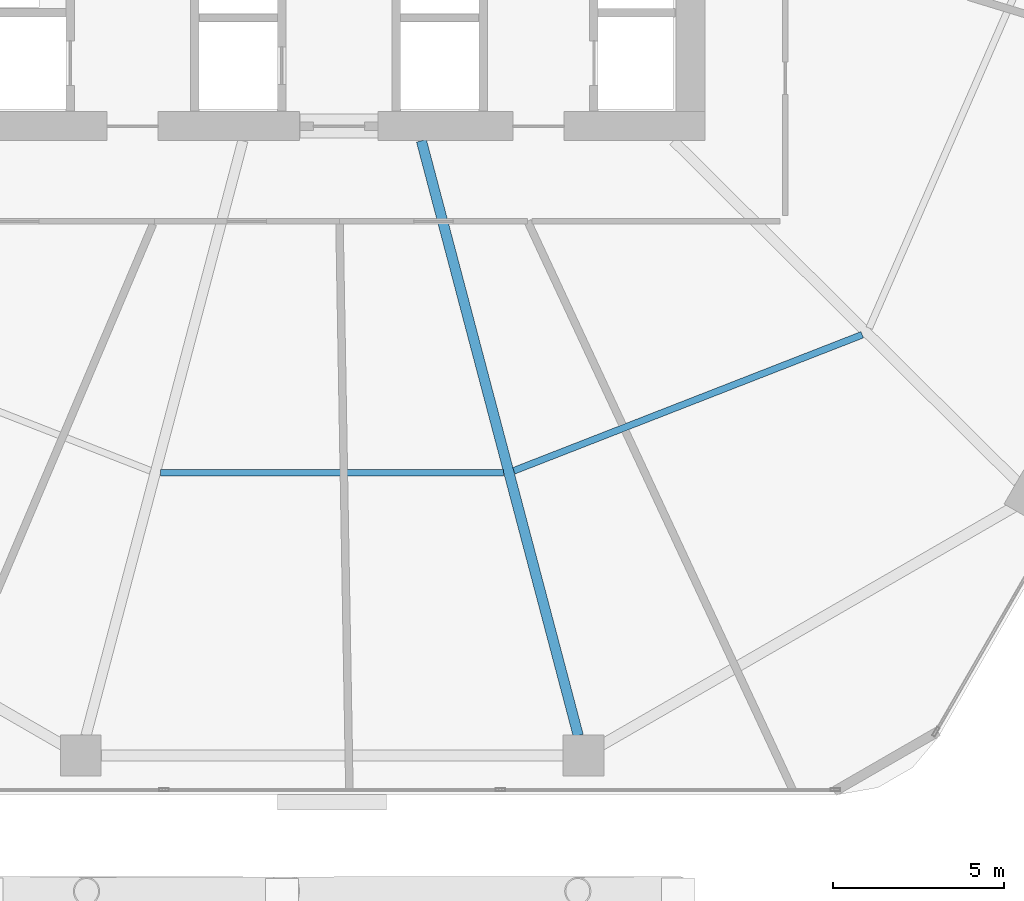
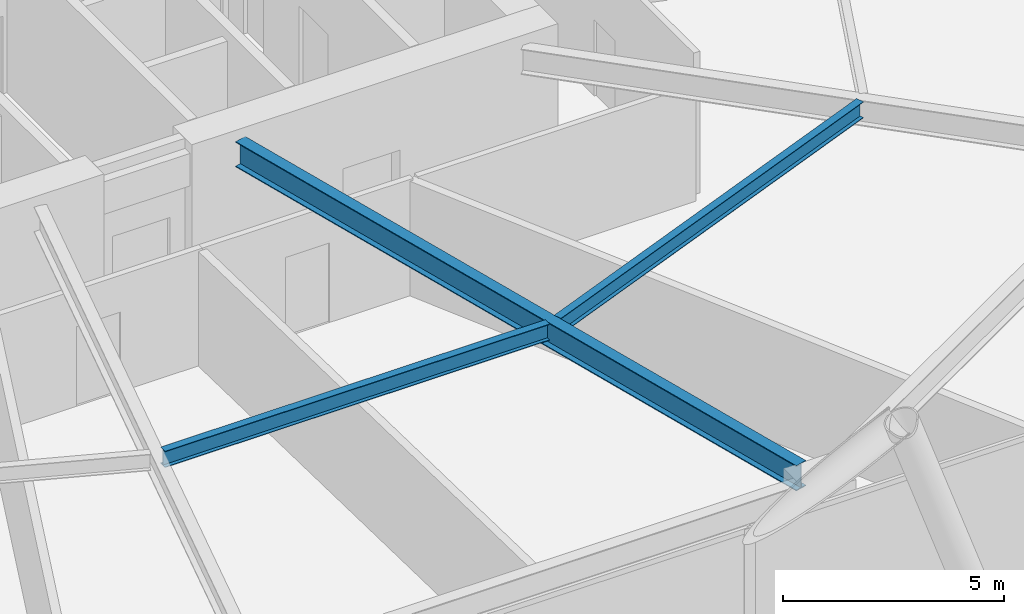
# One storey, part 8 of 30: 3 beams.
"""IFC4 building model written with IfcOpenShell, lengths in metres."""

import ifcopenshell
import ifcopenshell.guid

model = None  # the IFC model being written
_history = None  # IfcOwnerHistory: only IFC2X3 demands one
_inside = {}  # id of a spatial element -> (the spatial element, [elements in it])
_under = {}  # id of a project, library or spatial element -> (it, [spatial elements below it])
_declared = {}  # id of a project -> (the project, [libraries it declares])
_typed = {}  # id of a type object -> (the type object, [elements of that type])
_made_of = {}  # id of a material, layer set ... -> (it, [elements and type objects made of it])


def new_model(schema):
    """Start an empty IFC model of exactly this schema.

    Asked for "IFC4X3", IfcOpenShell would pick the latest addendum, in which some entities
    have other attributes; the version numbers below select the first issue.
    IFC2X3 requires an IfcOwnerHistory on every rooted entity: one is made here for all.
    """
    global model, _history
    if schema == "IFC4X3":
        model = ifcopenshell.file(schema_version=(4, 3, 0, 0))
    else:
        model = ifcopenshell.file(schema=schema)
    _inside.clear()
    _under.clear()
    _declared.clear()
    _typed.clear()
    _made_of.clear()
    _history = None
    if model.schema == "IFC2X3":
        org = make("IfcOrganization", Name="unknown")
        user = make(
            "IfcPersonAndOrganization",
            ThePerson=make("IfcPerson", FamilyName="unknown"),
            TheOrganization=org,
        )
        app = make(
            "IfcApplication",
            ApplicationDeveloper=org,
            Version="unknown",
            ApplicationFullName="unknown",
            ApplicationIdentifier="unknown",
        )
        _history = make(
            "IfcOwnerHistory",
            OwningUser=user,
            OwningApplication=app,
            ChangeAction="ADDED",
            CreationDate=0,
        )
    return model


def make(cls, **values):
    """One entity of the class cls with the attributes given. An attribute that is None is left unset."""
    return model.create_entity(
        cls, **{name: value for name, value in values.items() if value is not None}
    )


def rooted(cls, **values):
    """An entity with a GlobalId (a new one), such as an element, a storey or a relation."""
    return make(cls, GlobalId=ifcopenshell.guid.new(), OwnerHistory=_history, **values)


def si_unit(unit_type, name, prefix=None):
    """IfcSIUnit, for example si_unit("LENGTHUNIT", "METRE", prefix="MILLI")."""
    return make("IfcSIUnit", UnitType=unit_type, Prefix=prefix, Name=name)


def assignment(units):
    """IfcUnitAssignment: the units of a project."""
    return None if units is None else make("IfcUnitAssignment", Units=units)


def point(xyz):
    """IfcCartesianPoint."""
    return None if xyz is None else make("IfcCartesianPoint", Coordinates=xyz)


def direction(xyz):
    """IfcDirection."""
    return None if xyz is None else make("IfcDirection", DirectionRatios=xyz)


def frame(location, z_axis=None, x_axis=None):
    """IfcAxis2Placement3D, a coordinate frame: its origin and axes. An axis left out is left unset."""
    return make(
        "IfcAxis2Placement3D",
        Location=point(location),
        Axis=direction(z_axis),
        RefDirection=direction(x_axis),
    )


def frame_2d(location, x_axis=None):
    """IfcAxis2Placement2D, a coordinate frame in the plane: its origin and x axis."""
    return make(
        "IfcAxis2Placement2D", Location=point(location), RefDirection=direction(x_axis)
    )


def origin():
    """The frame at (0, 0, 0) with its axes left unset."""
    return frame((0.0, 0.0, 0.0))


def origin_2d():
    """The frame at (0, 0) in the plane with its x axis left unset."""
    return frame_2d((0.0, 0.0))


def place(relative_to, where):
    """IfcLocalPlacement: puts the frame where relative to a parent placement (None: the world)."""
    return make(
        "IfcLocalPlacement", PlacementRelTo=relative_to, RelativePlacement=where
    )


def context(
    kind, dimensions, precision=None, world=None, true_north=None, identifier=None
):
    """IfcGeometricRepresentationContext, for example the 3D "Model" context."""
    return make(
        "IfcGeometricRepresentationContext",
        ContextIdentifier=identifier,
        ContextType=kind,
        CoordinateSpaceDimension=dimensions,
        Precision=precision,
        WorldCoordinateSystem=world,
        TrueNorth=true_north,
    )


def subcontext(parent, identifier, kind, view, scale=None):
    """IfcGeometricRepresentationSubContext, for example "Body" below "Model"."""
    return make(
        "IfcGeometricRepresentationSubContext",
        ContextIdentifier=identifier,
        ContextType=kind,
        ParentContext=parent,
        TargetScale=scale,
        TargetView=view,
    )


def project(units=None, contexts=None):
    """IfcProject with its units and contexts."""
    return rooted(
        "IfcProject",
        Name="project",
        RepresentationContexts=contexts,
        UnitsInContext=assignment(units),
    )


def spatial(cls, under=None, at=None, **own):
    """A site, building, storey or space (cls), placed at a placement, below another one or the project."""
    s = rooted(cls, ObjectPlacement=at, **own)
    if under is not None:
        _under.setdefault(under.id(), (under, []))[1].append(s)
    return s


def profile(cls, at=None, kind="AREA", **sizes):
    """A parametric profile (cls). Its sizes go by their IFC names, for example OverallWidth=200.0."""
    return make(cls, ProfileType=kind, Position=at, **sizes)


def i_section(**sizes):
    """IfcIShapeProfileDef."""
    return profile("IfcIShapeProfileDef", **sizes)


def extrude(swept, where, along, depth):
    """IfcExtrudedAreaSolid: the profile swept, set in the frame where, extruded along a direction by depth."""
    return make(
        "IfcExtrudedAreaSolid",
        SweptArea=swept,
        Position=where,
        ExtrudedDirection=direction(along),
        Depth=depth,
    )


def shape(context_of_items, identifier, shape_type, items):
    """IfcShapeRepresentation: the items that make up one representation, for example the "Body"."""
    return make(
        "IfcShapeRepresentation",
        ContextOfItems=context_of_items,
        RepresentationIdentifier=identifier,
        RepresentationType=shape_type,
        Items=items,
    )


def material(Name=None, Category=None):
    """IfcMaterial."""
    return make("IfcMaterial", Name=Name, Category=Category)


def material_profile(
    of_material, cross_section, Name=None, Category=None, Priority=None
):
    """IfcMaterialProfile: a cross section and its material."""
    return make(
        "IfcMaterialProfile",
        Name=Name,
        Material=of_material,
        Profile=cross_section,
        Priority=Priority,
        Category=Category,
    )


def profile_set(profiles, Name=None, composite=None):
    """IfcMaterialProfileSet."""
    return make(
        "IfcMaterialProfileSet",
        Name=Name,
        MaterialProfiles=profiles,
        CompositeProfile=composite,
    )


def made_of(thing, what):
    """Note that an element or type object is made of a material, layer set ...; save() writes the relation."""
    if what is not None:
        _made_of.setdefault(what.id(), (what, []))[1].append(thing)
    return thing


def type_object(cls, material=None, **own):
    """A type object (cls), such as IfcWallType, which elements share."""
    return made_of(rooted(cls, **own), material)


def element(
    cls,
    number,
    at=None,
    inside=None,
    cuts=None,
    type_object=None,
    material=None,
    context=None,
    identifier="Body",
    shape_type=None,
    held_by="IfcProductDefinitionShape",
    body=None,
    shapes=None,
    **own,
):
    """One element of the class cls, such as IfcWall. Its Tag is "e" and its number.

    at: its placement. inside: the storey or other place that contains it. cuts: it is an
    opening in that element (IfcRelVoidsElement). A single representation is given by context,
    identifier, shape_type and body (its items); several are given by shapes. held_by: the class
    of the entity that holds the representations. save() writes the other relations.
    """
    e = rooted(cls, Tag="e%d" % number, ObjectPlacement=at, **own)
    if body is not None:
        shapes = [shape(context, identifier, shape_type, body)]
    if shapes is not None:
        e.Representation = make(held_by, Representations=shapes)
    if inside is not None:
        _inside.setdefault(inside.id(), (inside, []))[1].append(e)
    if cuts is not None:
        rooted(
            "IfcRelVoidsElement", RelatingBuildingElement=cuts, RelatedOpeningElement=e
        )
    if type_object is not None:
        _typed.setdefault(type_object.id(), (type_object, []))[1].append(e)
    return made_of(e, material)


def aggregate(whole, parts):
    """IfcRelAggregates: a whole, such as a stair, and the parts it consists of."""
    return rooted("IfcRelAggregates", RelatingObject=whole, RelatedObjects=parts)


def save(model, path):
    """Write the relations noted so far, then the file.

    IfcRelAggregates (storeys below a building ...), IfcRelContainedInSpatialStructure (elements
    in a storey), IfcRelDefinesByType, IfcRelAssociatesMaterial and IfcRelDeclares: one each for
    every whole, place, type object, material and project.
    """
    for whole, parts in _under.values():
        aggregate(whole, parts)
    for where, things in _inside.values():
        rooted(
            "IfcRelContainedInSpatialStructure",
            RelatedElements=things,
            RelatingStructure=where,
        )
    for kind, things in _typed.values():
        rooted("IfcRelDefinesByType", RelatedObjects=things, RelatingType=kind)
    for what, things in _made_of.values():
        rooted("IfcRelAssociatesMaterial", RelatedObjects=things, RelatingMaterial=what)
    for by, libraries in _declared.values():
        rooted("IfcRelDeclares", RelatingContext=by, RelatedDefinitions=libraries)
    model.write(path)


model = new_model("IFC4")

# Units and contexts
model_context = context("Model", 3, precision=1e-05, world=origin(), true_north=direction((0.0, 1.0)))
body_context = subcontext(model_context, "Body", "Model", "MODEL_VIEW")
ifc_project = project(units=[si_unit("LENGTHUNIT", "METRE"), si_unit("AREAUNIT", "SQUARE_METRE"), si_unit("VOLUMEUNIT", "CUBIC_METRE"), si_unit("PLANEANGLEUNIT", "RADIAN"), si_unit("MASSUNIT", "GRAM", prefix="KILO")], contexts=[model_context])

# Site, building, storey
site_placement = place(None, origin())
site = spatial("IfcSite", under=ifc_project, at=site_placement, CompositionType="ELEMENT")
building_placement = place(site_placement, origin())
building = spatial("IfcBuilding", under=site, at=building_placement, Name="Zuhravey Tower", CompositionType="ELEMENT")
storey_placement = place(building_placement, frame((0.0, 0.0, 58.199951171875)))
storey = spatial("IfcBuildingStorey", under=building, at=storey_placement, Name="L14", CompositionType="ELEMENT", Elevation=58.199951171875)

# Beams
ifc_material = material(Name="Steel SM355", Category="steel")
ifc_material_profile_1 = material_profile(ifc_material, i_section(OverallWidth=0.300048828125, OverallDepth=0.699951171875, WebThickness=0.012939453125, FlangeThickness=0.02392578125, at=origin_2d()), Name="H-700x300x13x24")
ifc_profile_set_1 = profile_set([ifc_material_profile_1], Name="Steel SM355")
beam_type_1 = type_object("IfcBeamType", Name="Radial Primary Girder H700x300", PredefinedType="BEAM", material=ifc_profile_set_1)
beam_1_placement = place(storey_placement, frame((38.617919921875, 22.072021484375, 3.570068359375), z_axis=(0.254989720435, -0.966943763862, 0.0), x_axis=(0.966943763862, 0.254989720435, 0.0)))
element("IfcBeam", 1, at=beam_1_placement, inside=storey, type_object=beam_type_1, Name="L14 RG1 BM-L14-RAD-10", PredefinedType="BEAM", context=body_context, shape_type="SweptSolid", body=[
    extrude(i_section(OverallWidth=0.300048828125, OverallDepth=0.699951171875, WebThickness=0.012939453125, FlangeThickness=0.02392578125, at=origin_2d()), origin(), (0.0, 0.0, 1.0), 18.03369140625),
])
ifc_material_profile_2 = material_profile(ifc_material, i_section(OverallWidth=0.199951171875, OverallDepth=0.449951171875, WebThickness=0.009033203125, FlangeThickness=0.013916015625, at=origin_2d()), Name="H-450x200x9x14")
ifc_profile_set_2 = profile_set([ifc_material_profile_2], Name="Steel SM355")
beam_type_2 = type_object("IfcBeamType", Name="Secondary Floor Joist H450x200", PredefinedType="JOIST", material=ifc_profile_set_2)
beam_2_placement = place(storey_placement, frame((30.969970703125, 12.3408203125, 3.695068359375), z_axis=(1.0, 0.0, 0.0), x_axis=(0.0, 1.0, 0.0)))
element("IfcBeam", 2, at=beam_2_placement, inside=storey, type_object=beam_type_2, Name="L14 SJ1 BM-L14-SJ-09-1", PredefinedType="JOIST", context=body_context, shape_type="SweptSolid", body=[
    extrude(i_section(OverallWidth=0.199951171875, OverallDepth=0.449951171875, WebThickness=0.009033203125, FlangeThickness=0.013916015625, at=origin_2d()), origin(), (0.0, 0.0, 1.0), 10.06005859375),
])
beam_3_placement = place(storey_placement, frame((41.32763671875, 12.39697265625, 3.695068359375), z_axis=(0.931516535886, 0.363698973562, 0.0), x_axis=(-0.363698973562, 0.931516535886, 0.0)))
element("IfcBeam", 3, at=beam_3_placement, inside=storey, type_object=beam_type_2, Name="L14 SJ1 BM-L14-SJ-10-1", PredefinedType="JOIST", context=body_context, shape_type="SweptSolid", body=[
    extrude(i_section(OverallWidth=0.199951171875, OverallDepth=0.449951171875, WebThickness=0.009033203125, FlangeThickness=0.013916015625, at=origin_2d()), origin(), (0.0, 0.0, 1.0), 10.963134765625),
])

save(model, "model.ifc")
